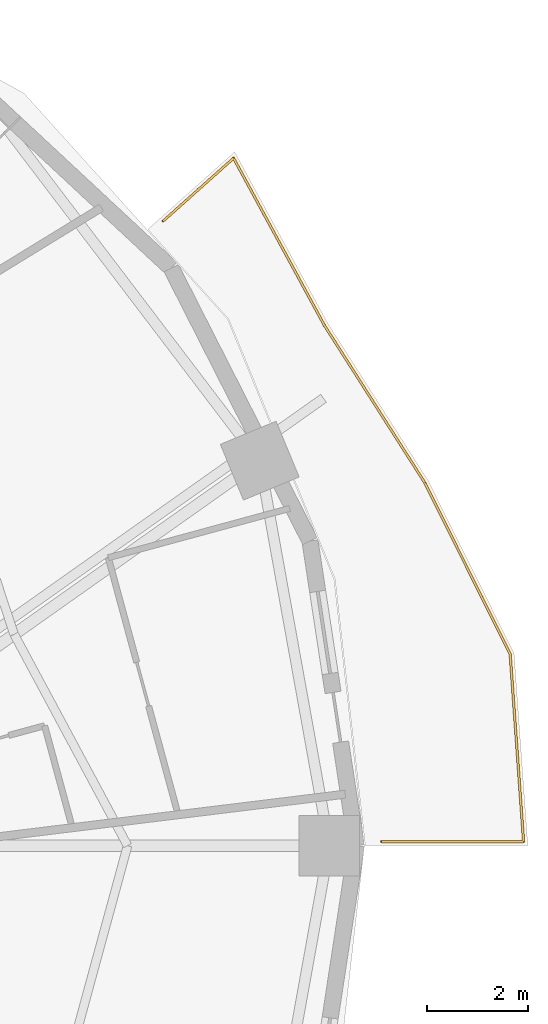
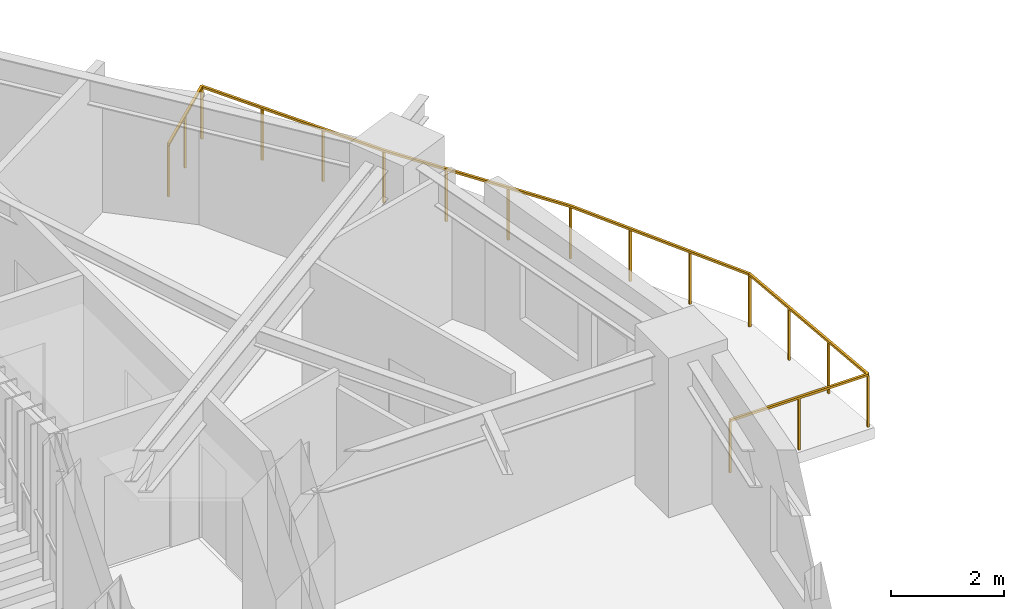
# One storey, part 13 of 13: 1 railing.
"""IFC4 building model written with IfcOpenShell, lengths in metres."""

from ifc_helpers import new_model, si_unit, direction, frame, origin, origin_2d, place, context, subcontext, project, spatial, rectangle, extrude, material, type_object, element, save


model = new_model("IFC4")

# Units and contexts
model_context = context("Model", 3, precision=1e-05, world=origin(), true_north=direction((0.0, 1.0)))
body_context = subcontext(model_context, "Body", "Model", "MODEL_VIEW")
ifc_project = project(units=[si_unit("LENGTHUNIT", "METRE"), si_unit("AREAUNIT", "SQUARE_METRE"), si_unit("VOLUMEUNIT", "CUBIC_METRE"), si_unit("PLANEANGLEUNIT", "RADIAN"), si_unit("MASSUNIT", "GRAM", prefix="KILO")], contexts=[model_context])

# Site, building, storey
site_placement = place(None, origin())
site = spatial("IfcSite", under=ifc_project, at=site_placement, CompositionType="ELEMENT")
building_placement = place(site_placement, origin())
building = spatial("IfcBuilding", under=site, at=building_placement, Name="Haldorwick Loom Tower", CompositionType="ELEMENT")
storey_placement = place(building_placement, frame((0.0, 0.0, 135.64990234375)))
storey = spatial("IfcBuildingStorey", under=building, at=storey_placement, Name="L36", CompositionType="ELEMENT", Elevation=135.64990234375)

# Railing
ifc_material = material(Name="Galvanized Steel CSA G40.21 350W", Category="steel")
railing_type = type_object("IfcRailingType", Name="ARC-RLG-BAL115", PredefinedType="BALUSTRADE", material=ifc_material)
railing_placement = place(storey_placement, frame((57.91357421875, 38.416259765625, 0.0)))
element("IfcRailing", 1, at=railing_placement, inside=storey, type_object=railing_type, Name="L36 Outdoor Terrace Guardrail SLB-L36-BAL_ENE-1", PredefinedType="BALUSTRADE", context=body_context, shape_type="SweptSolid", body=[
    extrude(rectangle(XDim=0.048095703125, YDim=0.048095703125, at=origin_2d()), frame((0.0, 0.0, 1.1259765625), z_axis=(0.745995297982, 0.665951210967, 0.0), x_axis=(-0.665951210967, 0.745995297982, 0.0)), (0.0, 0.0, 1.0), 1.87890625),
    extrude(rectangle(XDim=0.048095703125, YDim=0.048095703125, at=origin_2d()), frame((1.401611328125, 1.251220703125, 1.1259765625), z_axis=(0.477375598096, -0.878699344681, 0.0), x_axis=(0.878699344681, 0.477375598096, 0.0)), (0.0, 0.0, 1.0), 3.7783203125),
    extrude(rectangle(XDim=0.048095703125, YDim=0.048095703125, at=origin_2d()), frame((3.205322265625, -2.06884765625, 1.1259765625), z_axis=(0.501036270542, -0.865426285481, 0.0), x_axis=(0.865426285481, 0.501036270542, 0.0)), (0.0, 0.0, 1.0), 0.00537109375),
    extrude(rectangle(XDim=0.048095703125, YDim=0.048095703125, at=origin_2d()), frame((3.2080078125, -2.073486328125, 1.1259765625), z_axis=(0.537781060041, -0.843084533995, 0.0), x_axis=(0.843084533995, 0.537781060041, 0.0)), (0.0, 0.0, 1.0), 3.71435546875),
    extrude(rectangle(XDim=0.048095703125, YDim=0.048095703125, at=origin_2d()), frame((5.20556640625, -5.205078125, 1.1259765625), z_axis=(0.445570186233, -0.895247010127, 0.0), x_axis=(0.895247010127, 0.445570186233, 0.0)), (0.0, 0.0, 1.0), 3.804931640625),
    extrude(rectangle(XDim=0.048095703125, YDim=0.048095703125, at=origin_2d()), frame((6.90087890625, -8.611328125, 1.1259765625), z_axis=(0.071391076537, -0.997448401769, 0.0), x_axis=(0.997448401769, 0.071391076537, 0.0)), (0.0, 0.0, 1.0), 3.734375),
    extrude(rectangle(XDim=0.048095703125, YDim=0.048095703125, at=origin_2d()), frame((7.16748046875, -12.336181640625, 1.1259765625), z_axis=(-1.0, 0.0, 0.0), x_axis=(0.0, -1.0, 0.0)), (0.0, 0.0, 1.0), 2.82080078125),
    extrude(rectangle(XDim=0.0419921875, YDim=0.0419921875, at=origin_2d()), origin(), (0.0, 0.0, 1.0), 1.101806640625),
    extrude(rectangle(XDim=0.0419921875, YDim=0.0419921875, at=origin_2d()), frame((0.70068359375, 0.62548828125, 0.0)), (0.0, 0.0, 1.0), 1.101806640625),
    extrude(rectangle(XDim=0.0419921875, YDim=0.0419921875, at=origin_2d()), frame((1.401611328125, 1.251220703125, 0.0)), (0.0, 0.0, 1.0), 1.101806640625),
    extrude(rectangle(XDim=0.0419921875, YDim=0.0419921875, at=origin_2d()), frame((2.0029296875, 0.14453125, 0.0)), (0.0, 0.0, 1.0), 1.101806640625),
    extrude(rectangle(XDim=0.0419921875, YDim=0.0419921875, at=origin_2d()), frame((2.60400390625, -0.962158203125, 0.0)), (0.0, 0.0, 1.0), 1.101806640625),
    extrude(rectangle(XDim=0.0419921875, YDim=0.0419921875, at=origin_2d()), frame((3.205322265625, -2.06884765625, 0.0)), (0.0, 0.0, 1.0), 1.101806640625),
    extrude(rectangle(XDim=0.0419921875, YDim=0.0419921875, at=origin_2d()), frame((3.873779296875, -3.117431640625, 0.0)), (0.0, 0.0, 1.0), 1.101806640625),
    extrude(rectangle(XDim=0.0419921875, YDim=0.0419921875, at=origin_2d()), frame((4.539794921875, -4.1611328125, 0.0)), (0.0, 0.0, 1.0), 1.101806640625),
    extrude(rectangle(XDim=0.0419921875, YDim=0.0419921875, at=origin_2d()), frame((5.20556640625, -5.205078125, 0.0)), (0.0, 0.0, 1.0), 1.101806640625),
    extrude(rectangle(XDim=0.0419921875, YDim=0.0419921875, at=origin_2d()), frame((5.770751953125, -6.340576171875, 0.0)), (0.0, 0.0, 1.0), 1.101806640625),
    extrude(rectangle(XDim=0.0419921875, YDim=0.0419921875, at=origin_2d()), frame((6.335693359375, -7.475830078125, 0.0)), (0.0, 0.0, 1.0), 1.101806640625),
    extrude(rectangle(XDim=0.0419921875, YDim=0.0419921875, at=origin_2d()), frame((6.90087890625, -8.611328125, 0.0)), (0.0, 0.0, 1.0), 1.101806640625),
    extrude(rectangle(XDim=0.0419921875, YDim=0.0419921875, at=origin_2d()), frame((6.98974609375, -9.85302734375, 0.0)), (0.0, 0.0, 1.0), 1.101806640625),
    extrude(rectangle(XDim=0.0419921875, YDim=0.0419921875, at=origin_2d()), frame((7.07861328125, -11.094482421875, 0.0)), (0.0, 0.0, 1.0), 1.101806640625),
    extrude(rectangle(XDim=0.0419921875, YDim=0.0419921875, at=origin_2d()), frame((7.16748046875, -12.336181640625, 0.0)), (0.0, 0.0, 1.0), 1.101806640625),
    extrude(rectangle(XDim=0.0419921875, YDim=0.0419921875, at=origin_2d()), frame((5.757080078125, -12.336181640625, 0.0)), (0.0, 0.0, 1.0), 1.101806640625),
    extrude(rectangle(XDim=0.0419921875, YDim=0.0419921875, at=origin_2d()), frame((4.3466796875, -12.336181640625, 0.0)), (0.0, 0.0, 1.0), 1.101806640625),
])

save(model, "model.ifc")
